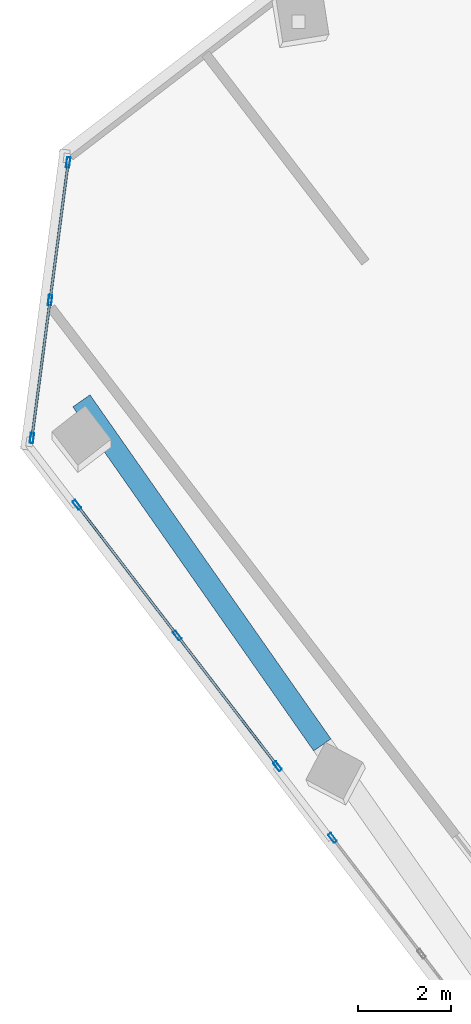
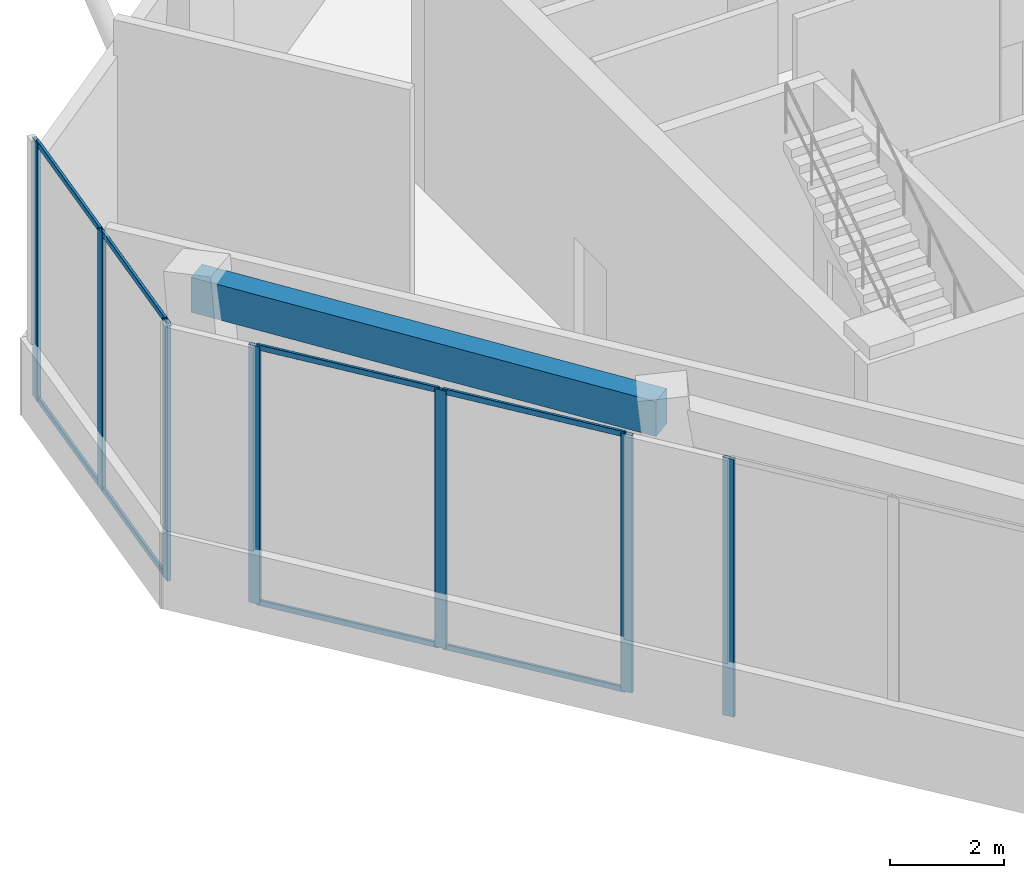
# One storey, part 5 of 19: 15 members, 1 beam, 3 elements without a shape of their own.
"""IFC4 building model written with IfcOpenShell, lengths in metres."""

from ifc_helpers import new_model, si_unit, direction, frame, origin, origin_2d, place, context, subcontext, project, spatial, rectangle, hollow_rectangle, extrude, source, transform, mapped, material, material_profile, profile_set, type_object, element, aggregate, save


model = new_model("IFC4")

# Units and contexts
model_context = context("Model", 3, precision=1e-05, world=origin(), true_north=direction((0.0, 1.0)))
body_context = subcontext(model_context, "Body", "Model", "MODEL_VIEW")
ifc_project = project(units=[si_unit("LENGTHUNIT", "METRE"), si_unit("AREAUNIT", "SQUARE_METRE"), si_unit("VOLUMEUNIT", "CUBIC_METRE"), si_unit("PLANEANGLEUNIT", "RADIAN"), si_unit("MASSUNIT", "GRAM", prefix="KILO")], contexts=[model_context])

# Site, building, storey
site_placement = place(None, origin())
site = spatial("IfcSite", under=ifc_project, at=site_placement, CompositionType="ELEMENT")
building_placement = place(site_placement, origin())
building = spatial("IfcBuilding", under=site, at=building_placement, Name="Torre Montelarca", CompositionType="ELEMENT")
storey_placement = place(building_placement, frame((0.0, 0.0, 287.800048828125)))
storey = spatial("IfcBuildingStorey", under=building, at=storey_placement, Name="L65", CompositionType="ELEMENT", Elevation=287.800048828125)

# Beam
ifc_material_1 = material(Name="Concrete C55/67", Category="concrete")
ifc_material_profile_1 = material_profile(ifc_material_1, rectangle(XDim=0.449951171875, YDim=0.75, at=origin_2d()), Name="RCB450X750", Category="concrete")
ifc_profile_set_1 = profile_set([ifc_material_profile_1], Name="Concrete C55/67")
beam_type = type_object("IfcBeamType", Name="BM-SP-RC750-EXT", PredefinedType="SPANDREL", material=ifc_profile_set_1)
shared_shape_1 = source(origin(), body_context, "Body", "SweptSolid", [
    extrude(rectangle(XDim=0.449951171875, YDim=0.75, at=origin_2d()), origin(), (0.0, 0.0, 1.0), 9.0),
])
beam_placement = place(storey_placement, frame((0.240966796875, 32.373779296875, 5.344970703125), z_axis=(0.573573395961, -0.819154173185, 0.0), x_axis=(0.819154173185, 0.573573395961, 0.0)))
element("IfcBeam", 1, at=beam_placement, inside=storey, type_object=beam_type, Name="L65 Grid Girder X 9.0-18.0 at Y=14.8", PredefinedType="SPANDREL", context=body_context, shape_type="MappedRepresentation", body=[
    mapped(shared_shape_1, transform((0.0, 0.0, 0.0), scale=1.0)),
])

# Curtain wall, members
ifc_material_2 = material(Name="Insulated low-E laminated glass", Category="glass")
curtain_wall_type = type_object("IfcCurtainWallType", Name="CW-SYS-Z3", PredefinedType="USERDEFINED", material=ifc_material_2)
curtain_wall_1_placement = place(storey_placement, origin())
curtain_wall_1 = element("IfcCurtainWall", 2, at=curtain_wall_1_placement, inside=storey, type_object=curtain_wall_type, Name="L65 Curtain Wall Run CW-T3-L65-E11-B1", ObjectType="UNITISED GLAZING", PredefinedType="USERDEFINED")
ifc_material_3 = material(Name="Anodised aluminium AA 6063-T6", Category="aluminium")
ifc_material_profile_2 = material_profile(ifc_material_3, hollow_rectangle(XDim=0.054931640625, YDim=0.1201171875, WallThickness=0.00341796875, InnerFilletRadius=0.00341796875, OuterFilletRadius=0.007080078125, at=origin_2d()), Name="ALU55X120X3.5", Category="aluminium")
ifc_profile_set_2 = profile_set([ifc_material_profile_2], Name="Anodised aluminium AA 6063-T6")
member_type_1 = type_object("IfcMemberType", Name="CWT-ALU120", PredefinedType="USERDEFINED", material=ifc_profile_set_2)
shared_shape_2 = source(origin(), body_context, "Body", "SweptSolid", [
    extrude(hollow_rectangle(XDim=0.054931640625, YDim=0.1201171875, WallThickness=0.00341796875, InnerFilletRadius=0.00341796875, OuterFilletRadius=0.007080078125, at=origin_2d()), origin(), (0.0, 0.0, 1.0), 2.90380859375),
])
member_1_placement = place(storey_placement, frame((-0.046630859375, 37.446533203125, 0.02734375), z_axis=(-0.13048931135, -0.991449716135, 0.0), x_axis=(0.991449716135, -0.13048931135, 0.0)))
member_1 = element("IfcMember", 3, at=member_1_placement, type_object=member_type_1, Name="CW transom 1.1", ObjectType="TRANSOM", PredefinedType="USERDEFINED", context=body_context, shape_type="MappedRepresentation", body=[
    mapped(shared_shape_2, transform((0.0, 0.0, 0.0), scale=1.0)),
])
member_2_placement = place(storey_placement, frame((-0.046630859375, 37.446533203125, 5.492431640625), z_axis=(-0.13048931135, -0.991449716135, 0.0), x_axis=(0.991449716135, -0.13048931135, 0.0)))
member_2 = element("IfcMember", 4, at=member_2_placement, type_object=member_type_1, Name="CW transom 1.2", ObjectType="TRANSOM", PredefinedType="USERDEFINED", context=body_context, shape_type="MappedRepresentation", body=[
    mapped(shared_shape_2, transform((0.0, 0.0, 0.0), scale=1.0)),
])
member_3_placement = place(storey_placement, frame((-0.435302734375, 34.493408203125, 0.02734375), z_axis=(-0.13048931135, -0.991449716135, 0.0), x_axis=(0.991449716135, -0.13048931135, 0.0)))
member_3 = element("IfcMember", 5, at=member_3_placement, type_object=member_type_1, Name="CW transom 2.1", ObjectType="TRANSOM", PredefinedType="USERDEFINED", context=body_context, shape_type="MappedRepresentation", body=[
    mapped(shared_shape_2, transform((0.0, 0.0, 0.0), scale=1.0)),
])
member_4_placement = place(storey_placement, frame((-0.435302734375, 34.493408203125, 5.492431640625), z_axis=(-0.13048931135, -0.991449716135, 0.0), x_axis=(0.991449716135, -0.13048931135, 0.0)))
member_4 = element("IfcMember", 6, at=member_4_placement, type_object=member_type_1, Name="CW transom 2.2", ObjectType="TRANSOM", PredefinedType="USERDEFINED", context=body_context, shape_type="MappedRepresentation", body=[
    mapped(shared_shape_2, transform((0.0, 0.0, 0.0), scale=1.0)),
])

curtain_wall_2_placement = place(storey_placement, origin())
curtain_wall_2 = element("IfcCurtainWall", 7, at=curtain_wall_2_placement, inside=storey, type_object=curtain_wall_type, Name="L65 Curtain Wall Run CW-T3-L65-E01-B1", ObjectType="UNITISED GLAZING", PredefinedType="USERDEFINED")
shared_shape_3 = source(origin(), body_context, "Body", "SweptSolid", [
    extrude(hollow_rectangle(XDim=0.054931640625, YDim=0.1201171875, WallThickness=0.00341796875, InnerFilletRadius=0.00341796875, OuterFilletRadius=0.007080078125, at=origin_2d()), origin(), (0.0, 0.0, 1.0), 3.45751953125),
])
member_5_placement = place(storey_placement, frame((0.166259765625, 30.119140625, 0.02734375), z_axis=(0.608809484035, -0.79331646406, 0.0), x_axis=(0.79331646406, 0.608809484035, 0.0)))
member_5 = element("IfcMember", 8, at=member_5_placement, type_object=member_type_1, Name="CW transom 1.1", ObjectType="TRANSOM", PredefinedType="USERDEFINED", context=body_context, shape_type="MappedRepresentation", body=[
    mapped(shared_shape_3, transform((0.0, 0.0, 0.0), scale=1.0)),
])
member_6_placement = place(storey_placement, frame((0.166259765625, 30.119140625, 5.492431640625), z_axis=(0.608809484035, -0.79331646406, 0.0), x_axis=(0.79331646406, 0.608809484035, 0.0)))
member_6 = element("IfcMember", 9, at=member_6_placement, type_object=member_type_1, Name="CW transom 1.2", ObjectType="TRANSOM", PredefinedType="USERDEFINED", context=body_context, shape_type="MappedRepresentation", body=[
    mapped(shared_shape_3, transform((0.0, 0.0, 0.0), scale=1.0)),
])
shared_shape_4 = source(origin(), body_context, "Body", "SweptSolid", [
    extrude(hollow_rectangle(XDim=0.054931640625, YDim=0.1201171875, WallThickness=0.00341796875, InnerFilletRadius=0.00341796875, OuterFilletRadius=0.007080078125, at=origin_2d()), origin(), (0.0, 0.0, 1.0), 3.457275390625),
])
member_7_placement = place(storey_placement, frame((2.31689453125, 27.316650390625, 0.02734375), z_axis=(0.608765041959, -0.793350567964, 0.0), x_axis=(0.793350567964, 0.608765041959, 0.0)))
member_7 = element("IfcMember", 10, at=member_7_placement, type_object=member_type_1, Name="CW transom 2.1", ObjectType="TRANSOM", PredefinedType="USERDEFINED", context=body_context, shape_type="MappedRepresentation", body=[
    mapped(shared_shape_4, transform((0.0, 0.0, 0.0), scale=1.0)),
])
member_8_placement = place(storey_placement, frame((2.31689453125, 27.316650390625, 5.492431640625), z_axis=(0.608765041959, -0.793350567964, 0.0), x_axis=(0.793350567964, 0.608765041959, 0.0)))
member_8 = element("IfcMember", 11, at=member_8_placement, type_object=member_type_1, Name="CW transom 2.2", ObjectType="TRANSOM", PredefinedType="USERDEFINED", context=body_context, shape_type="MappedRepresentation", body=[
    mapped(shared_shape_4, transform((0.0, 0.0, 0.0), scale=1.0)),
])
ifc_material_profile_3 = material_profile(ifc_material_3, hollow_rectangle(XDim=0.074951171875, YDim=0.219970703125, WallThickness=0.0048828125, InnerFilletRadius=0.0048828125, OuterFilletRadius=0.010009765625, at=origin_2d()), Name="ALU75X220X5", Category="aluminium")
ifc_profile_set_3 = profile_set([ifc_material_profile_3], Name="Anodised aluminium AA 6063-T6")
member_type_2 = type_object("IfcMemberType", Name="CWM-ALU220", PredefinedType="MULLION", material=ifc_profile_set_3)
shared_shape_5 = source(origin(), body_context, "Body", "SweptSolid", [
    extrude(hollow_rectangle(XDim=0.074951171875, YDim=0.219970703125, WallThickness=0.0048828125, InnerFilletRadius=0.0048828125, OuterFilletRadius=0.010009765625, at=origin_2d()), origin(), (0.0, 0.0, 1.0), 5.52001953125),
])
member_9_placement = place(storey_placement, frame((0.1435546875, 30.14892578125, 0.0), z_axis=(0.0, 0.0, 1.0), x_axis=(0.793348180762, 0.608768152979, 0.0)))
member_9 = element("IfcMember", 12, at=member_9_placement, type_object=member_type_2, Name="CW mullion 1", PredefinedType="MULLION", context=body_context, shape_type="MappedRepresentation", body=[
    mapped(shared_shape_5, transform((0.0, 0.0, 0.0), scale=1.0)),
])
member_10_placement = place(storey_placement, frame((2.2939453125, 27.346435546875, 0.0), z_axis=(0.0, 0.0, 1.0), x_axis=(0.793348180762, 0.608768152979, 0.0)))
member_10 = element("IfcMember", 13, at=member_10_placement, type_object=member_type_2, Name="CW mullion 2", PredefinedType="MULLION", context=body_context, shape_type="MappedRepresentation", body=[
    mapped(shared_shape_5, transform((0.0, 0.0, 0.0), scale=1.0)),
])
member_11_placement = place(storey_placement, frame((4.444580078125, 24.5439453125, 0.0), z_axis=(0.0, 0.0, 1.0), x_axis=(0.793348180762, 0.608768152979, 0.0)))
member_11 = element("IfcMember", 14, at=member_11_placement, type_object=member_type_2, Name="CW mullion 3", PredefinedType="MULLION", context=body_context, shape_type="MappedRepresentation", body=[
    mapped(shared_shape_5, transform((0.0, 0.0, 0.0), scale=1.0)),
])
aggregate(curtain_wall_2, [member_9, member_10, member_11, member_5, member_6, member_7, member_8])

# Curtain wall, member
curtain_wall_3_placement = place(storey_placement, origin())
curtain_wall_3 = element("IfcCurtainWall", 15, at=curtain_wall_3_placement, inside=storey, type_object=curtain_wall_type, Name="L65 Curtain Wall Run CW-T3-L65-E01-B2", ObjectType="UNITISED GLAZING", PredefinedType="USERDEFINED")
member_12_placement = place(storey_placement, frame((5.622314453125, 23.0087890625, 0.0), z_axis=(0.0, 0.0, 1.0), x_axis=(0.793345851553, 0.608771188398, 0.0)))
member_12 = element("IfcMember", 16, at=member_12_placement, type_object=member_type_2, Name="CW mullion 1", PredefinedType="MULLION", context=body_context, shape_type="MappedRepresentation", body=[
    mapped(shared_shape_5, transform((0.0, 0.0, 0.0), scale=1.0)),
])
aggregate(curtain_wall_3, [member_12])

# Member
member_13_placement = place(storey_placement, frame((-0.041748046875, 37.483642578125, 0.0), z_axis=(0.0, 0.0, 1.0), x_axis=(0.991446450787, -0.130514118862, 0.0)))
member_13 = element("IfcMember", 17, at=member_13_placement, type_object=member_type_2, Name="CW mullion 1", PredefinedType="MULLION", context=body_context, shape_type="MappedRepresentation", body=[
    mapped(shared_shape_5, transform((0.0, 0.0, 0.0), scale=1.0)),
])

member_14_placement = place(storey_placement, frame((-0.430419921875, 34.530517578125, 0.0), z_axis=(0.0, 0.0, 1.0), x_axis=(0.991446450787, -0.130514118862, 0.0)))
member_14 = element("IfcMember", 18, at=member_14_placement, type_object=member_type_2, Name="CW mullion 2", PredefinedType="MULLION", context=body_context, shape_type="MappedRepresentation", body=[
    mapped(shared_shape_5, transform((0.0, 0.0, 0.0), scale=1.0)),
])

member_15_placement = place(storey_placement, frame((-0.819091796875, 31.577392578125, 0.0), z_axis=(0.0, 0.0, 1.0), x_axis=(0.991446450787, -0.130514118862, 0.0)))
member_15 = element("IfcMember", 19, at=member_15_placement, type_object=member_type_2, Name="CW mullion 3", PredefinedType="MULLION", context=body_context, shape_type="MappedRepresentation", body=[
    mapped(shared_shape_5, transform((0.0, 0.0, 0.0), scale=1.0)),
])

aggregate(curtain_wall_1, [member_13, member_14, member_15, member_1, member_2, member_3, member_4])

save(model, "model.ifc")
